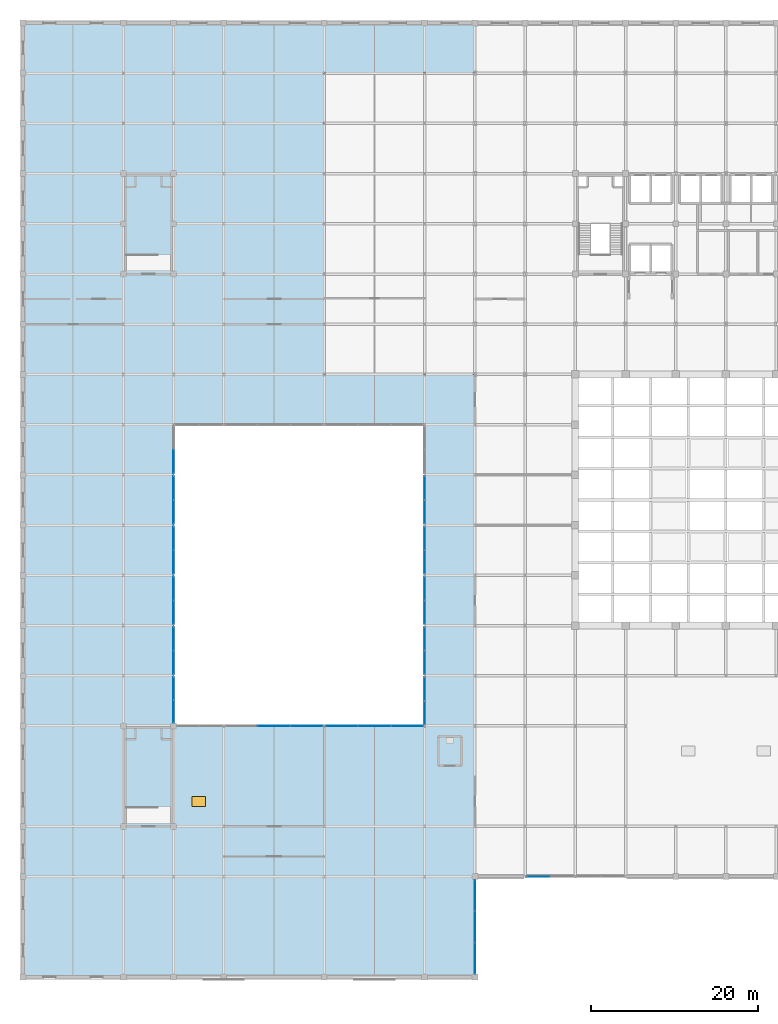
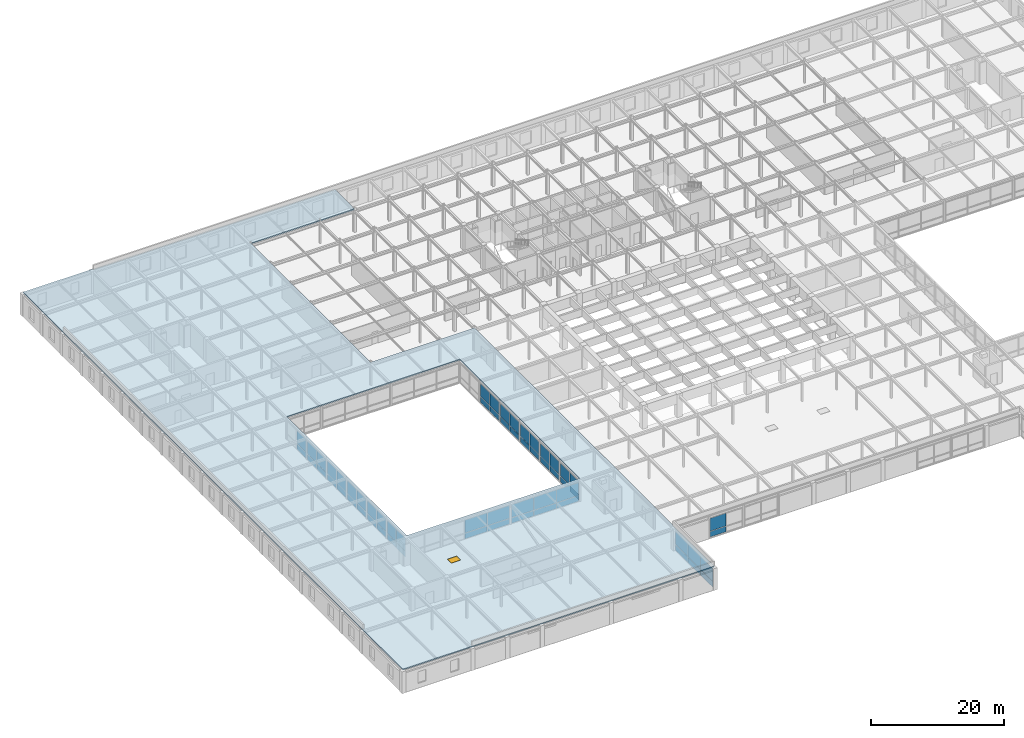
# One storey, part 96 of 111: 60 plates, 1 slab, 1 window, 1 opening, 15 elements without a shape of their own.
"""IFC4 building model written with IfcOpenShell, lengths in metres."""

from ifc_helpers import new_model, si_unit, direction, frame, origin, origin_2d, place, context, subcontext, project, spatial, polyline, rectangle, outline, extrude, material, layer, layer_set, type_object, element, fill, aggregate, save


model = new_model("IFC4")

# Units and contexts
model_context = context("Model", 3, precision=1e-05, world=origin(), true_north=direction((0.0, 1.0)))
body_context = subcontext(model_context, "Body", "Model", "MODEL_VIEW")
ifc_project = project(units=[si_unit("LENGTHUNIT", "METRE"), si_unit("AREAUNIT", "SQUARE_METRE"), si_unit("VOLUMEUNIT", "CUBIC_METRE"), si_unit("PLANEANGLEUNIT", "RADIAN"), si_unit("MASSUNIT", "GRAM", prefix="KILO")], contexts=[model_context])

# Site, building, storey
site_placement = place(None, origin())
site = spatial("IfcSite", under=ifc_project, at=site_placement, CompositionType="ELEMENT")
building_placement = place(site_placement, origin())
building = spatial("IfcBuilding", under=site, at=building_placement, Name="Zlatovratsky Civic Hall", CompositionType="ELEMENT")
storey_placement = place(building_placement, frame((0.0, 0.0, 16.5)))
storey = spatial("IfcBuildingStorey", under=building, at=storey_placement, Name="L04", CompositionType="ELEMENT", Elevation=16.5)

# Curtain wall, plates
ifc_material_1 = material(Name="Anodised bronze aluminium", Category="aluminium")
ifc_layer_1 = layer(ifc_material_1, 0.159912109375)
ifc_layer_set_1 = layer_set([ifc_layer_1], Name="Anodised bronze aluminium")
curtain_wall_type_1 = type_object("IfcCurtainWallType", Name="CurtainWall_Bronze_11750x3550_17", PredefinedType="NOTDEFINED", material=ifc_layer_set_1)
curtain_wall_1_placement = place(storey_placement, origin())
curtain_wall_1 = element("IfcCurtainWall", 1, at=curtain_wall_1_placement, inside=storey, type_object=curtain_wall_type_1, Name="CW-094", PredefinedType="NOTDEFINED")
ifc_material_2 = material(Name="Low-E laminated double glazing", Category="glass")
ifc_layer_2 = layer(ifc_material_2, 0.02392578125)
ifc_layer_set_2 = layer_set([ifc_layer_2], Name="Low-E laminated double glazing")
plate_type_1 = type_object("IfcPlateType", Name="Panel_CourtGlazing_24", PredefinedType="CURTAIN_PANEL", material=ifc_layer_set_2)
plate_1_placement = place(storey_placement, frame((30.0, 30.0, 0.06005859375), z_axis=(0.0, 0.0, 1.0), x_axis=(1.0, 0.0, 0.0)))
plate_1 = element("IfcPlate", 2, at=plate_1_placement, type_object=plate_type_1, Name="CW-17 panel 2.1", PredefinedType="CURTAIN_PANEL", context=body_context, shape_type="SweptSolid", body=[
    extrude(rectangle(XDim=3.856689453125, YDim=0.02392578125, at=origin_2d()), origin(), (0.0, 0.0, 1.0), 1.010009765625),
])
plate_2_placement = place(storey_placement, frame((30.0, 30.0, 1.1298828125), z_axis=(0.0, 0.0, 1.0), x_axis=(1.0, 0.0, 0.0)))
plate_2 = element("IfcPlate", 3, at=plate_2_placement, type_object=plate_type_1, Name="CW-17 panel 2.2", PredefinedType="CURTAIN_PANEL", context=body_context, shape_type="SweptSolid", body=[
    extrude(rectangle(XDim=3.856689453125, YDim=0.02392578125, at=origin_2d()), origin(), (0.0, 0.0, 1.0), 2.360107421875),
])
plate_3_placement = place(storey_placement, frame((33.901611328125, 30.0, 0.06005859375), z_axis=(0.0, 0.0, 1.0), x_axis=(1.0, 0.0, 0.0)))
plate_3 = element("IfcPlate", 4, at=plate_3_placement, type_object=plate_type_1, Name="CW-17 panel 3.1", PredefinedType="CURTAIN_PANEL", context=body_context, shape_type="SweptSolid", body=[
    extrude(rectangle(XDim=3.82666015625, YDim=0.02392578125, at=origin_2d()), origin(), (0.0, 0.0, 1.0), 1.010009765625),
])
plate_4_placement = place(storey_placement, frame((33.901611328125, 30.0, 1.1298828125), z_axis=(0.0, 0.0, 1.0), x_axis=(1.0, 0.0, 0.0)))
plate_4 = element("IfcPlate", 5, at=plate_4_placement, type_object=plate_type_1, Name="CW-17 panel 3.2", PredefinedType="CURTAIN_PANEL", context=body_context, shape_type="SweptSolid", body=[
    extrude(rectangle(XDim=3.82666015625, YDim=0.02392578125, at=origin_2d()), origin(), (0.0, 0.0, 1.0), 2.360107421875),
])
aggregate(curtain_wall_1, [plate_1, plate_2, plate_3, plate_4])

curtain_wall_2_placement = place(storey_placement, origin())
curtain_wall_2 = element("IfcCurtainWall", 6, at=curtain_wall_2_placement, inside=storey, type_object=curtain_wall_type_1, Name="CW-095", PredefinedType="NOTDEFINED")
plate_5_placement = place(storey_placement, frame((38.098388671875, 30.0, 0.06005859375), z_axis=(0.0, 0.0, 1.0), x_axis=(1.0, 0.0, 0.0)))
plate_5 = element("IfcPlate", 7, at=plate_5_placement, type_object=plate_type_1, Name="CW-17 panel 1.1", PredefinedType="CURTAIN_PANEL", context=body_context, shape_type="SweptSolid", body=[
    extrude(rectangle(XDim=3.82666015625, YDim=0.02392578125, at=origin_2d()), origin(), (0.0, 0.0, 1.0), 1.010009765625),
])
plate_6_placement = place(storey_placement, frame((38.098388671875, 30.0, 1.1298828125), z_axis=(0.0, 0.0, 1.0), x_axis=(1.0, 0.0, 0.0)))
plate_6 = element("IfcPlate", 8, at=plate_6_placement, type_object=plate_type_1, Name="CW-17 panel 1.2", PredefinedType="CURTAIN_PANEL", context=body_context, shape_type="SweptSolid", body=[
    extrude(rectangle(XDim=3.82666015625, YDim=0.02392578125, at=origin_2d()), origin(), (0.0, 0.0, 1.0), 2.360107421875),
])
plate_7_placement = place(storey_placement, frame((42.0, 30.0, 0.06005859375), z_axis=(0.0, 0.0, 1.0), x_axis=(1.0, 0.0, 0.0)))
plate_7 = element("IfcPlate", 9, at=plate_7_placement, type_object=plate_type_1, Name="CW-17 panel 2.1", PredefinedType="CURTAIN_PANEL", context=body_context, shape_type="SweptSolid", body=[
    extrude(rectangle(XDim=3.856689453125, YDim=0.02392578125, at=origin_2d()), origin(), (0.0, 0.0, 1.0), 1.010009765625),
])
plate_8_placement = place(storey_placement, frame((42.0, 30.0, 1.1298828125), z_axis=(0.0, 0.0, 1.0), x_axis=(1.0, 0.0, 0.0)))
plate_8 = element("IfcPlate", 10, at=plate_8_placement, type_object=plate_type_1, Name="CW-17 panel 2.2", PredefinedType="CURTAIN_PANEL", context=body_context, shape_type="SweptSolid", body=[
    extrude(rectangle(XDim=3.856689453125, YDim=0.02392578125, at=origin_2d()), origin(), (0.0, 0.0, 1.0), 2.360107421875),
])
plate_9_placement = place(storey_placement, frame((45.901611328125, 30.0, 0.06005859375), z_axis=(0.0, 0.0, 1.0), x_axis=(1.0, 0.0, 0.0)))
plate_9 = element("IfcPlate", 11, at=plate_9_placement, type_object=plate_type_1, Name="CW-17 panel 3.1", PredefinedType="CURTAIN_PANEL", context=body_context, shape_type="SweptSolid", body=[
    extrude(rectangle(XDim=3.82666015625, YDim=0.02392578125, at=origin_2d()), origin(), (0.0, 0.0, 1.0), 1.010009765625),
])
plate_10_placement = place(storey_placement, frame((45.901611328125, 30.0, 1.1298828125), z_axis=(0.0, 0.0, 1.0), x_axis=(1.0, 0.0, 0.0)))
plate_10 = element("IfcPlate", 12, at=plate_10_placement, type_object=plate_type_1, Name="CW-17 panel 3.2", PredefinedType="CURTAIN_PANEL", context=body_context, shape_type="SweptSolid", body=[
    extrude(rectangle(XDim=3.82666015625, YDim=0.02392578125, at=origin_2d()), origin(), (0.0, 0.0, 1.0), 2.360107421875),
])
aggregate(curtain_wall_2, [plate_5, plate_6, plate_7, plate_8, plate_9, plate_10])

ifc_layer_3 = layer(ifc_material_1, 0.159912109375)
ifc_layer_set_3 = layer_set([ifc_layer_3], Name="Anodised bronze aluminium")
curtain_wall_type_2 = type_object("IfcCurtainWallType", Name="CurtainWall_Bronze_5520x3550_16", PredefinedType="NOTDEFINED", material=ifc_layer_set_3)
curtain_wall_3_placement = place(storey_placement, origin())
curtain_wall_3 = element("IfcCurtainWall", 13, at=curtain_wall_3_placement, inside=storey, type_object=curtain_wall_type_2, Name="CW-099", PredefinedType="NOTDEFINED")
plate_11_placement = place(storey_placement, frame((18.0, 31.746337890625, 0.06005859375), z_axis=(0.0, 0.0, 1.0), x_axis=(0.0, 1.0, 0.0)))
plate_11 = element("IfcPlate", 14, at=plate_11_placement, type_object=plate_type_1, Name="CW-16 panel 1.1", PredefinedType="CURTAIN_PANEL", context=body_context, shape_type="SweptSolid", body=[
    extrude(rectangle(XDim=2.672607421875, YDim=0.02392578125, at=origin_2d()), origin(), (0.0, 0.0, 1.0), 1.010009765625),
])
plate_12_placement = place(storey_placement, frame((18.0, 31.746337890625, 1.1298828125), z_axis=(0.0, 0.0, 1.0), x_axis=(0.0, 1.0, 0.0)))
plate_12 = element("IfcPlate", 15, at=plate_12_placement, type_object=plate_type_1, Name="CW-16 panel 1.2", PredefinedType="CURTAIN_PANEL", context=body_context, shape_type="SweptSolid", body=[
    extrude(rectangle(XDim=2.672607421875, YDim=0.02392578125, at=origin_2d()), origin(), (0.0, 0.0, 1.0), 2.360107421875),
])
plate_13_placement = place(storey_placement, frame((18.0, 34.478759765625, 0.06005859375), z_axis=(0.0, 0.0, 1.0), x_axis=(0.0, 1.0, 0.0)))
plate_13 = element("IfcPlate", 16, at=plate_13_placement, type_object=plate_type_1, Name="CW-16 panel 2.1", PredefinedType="CURTAIN_PANEL", context=body_context, shape_type="SweptSolid", body=[
    extrude(rectangle(XDim=2.672607421875, YDim=0.02392578125, at=origin_2d()), origin(), (0.0, 0.0, 1.0), 1.010009765625),
])
plate_14_placement = place(storey_placement, frame((18.0, 34.478759765625, 1.1298828125), z_axis=(0.0, 0.0, 1.0), x_axis=(0.0, 1.0, 0.0)))
plate_14 = element("IfcPlate", 17, at=plate_14_placement, type_object=plate_type_1, Name="CW-16 panel 2.2", PredefinedType="CURTAIN_PANEL", context=body_context, shape_type="SweptSolid", body=[
    extrude(rectangle(XDim=2.672607421875, YDim=0.02392578125, at=origin_2d()), origin(), (0.0, 0.0, 1.0), 2.360107421875),
])
aggregate(curtain_wall_3, [plate_11, plate_12, plate_13, plate_14])

ifc_layer_4 = layer(ifc_material_1, 0.159912109375)
ifc_layer_set_4 = layer_set([ifc_layer_4], Name="Anodised bronze aluminium")
curtain_wall_type_3 = type_object("IfcCurtainWallType", Name="CurtainWall_Bronze_5750x3550_18", PredefinedType="NOTDEFINED", material=ifc_layer_set_4)
curtain_wall_4_placement = place(storey_placement, origin())
curtain_wall_4 = element("IfcCurtainWall", 18, at=curtain_wall_4_placement, inside=storey, type_object=curtain_wall_type_3, Name="CW-100", PredefinedType="NOTDEFINED")
plate_15_placement = place(storey_placement, frame((18.0, 37.577392578125, 0.06005859375), z_axis=(0.0, 0.0, 1.0), x_axis=(0.0, 1.0, 0.0)))
plate_15 = element("IfcPlate", 19, at=plate_15_placement, type_object=plate_type_1, Name="CW-18 panel 1.1", PredefinedType="CURTAIN_PANEL", context=body_context, shape_type="SweptSolid", body=[
    extrude(rectangle(XDim=2.784912109375, YDim=0.02392578125, at=origin_2d()), origin(), (0.0, 0.0, 1.0), 1.010009765625),
])
plate_16_placement = place(storey_placement, frame((18.0, 37.577392578125, 1.1298828125), z_axis=(0.0, 0.0, 1.0), x_axis=(0.0, 1.0, 0.0)))
plate_16 = element("IfcPlate", 20, at=plate_16_placement, type_object=plate_type_1, Name="CW-18 panel 1.2", PredefinedType="CURTAIN_PANEL", context=body_context, shape_type="SweptSolid", body=[
    extrude(rectangle(XDim=2.784912109375, YDim=0.02392578125, at=origin_2d()), origin(), (0.0, 0.0, 1.0), 2.360107421875),
])
plate_17_placement = place(storey_placement, frame((18.0, 40.422607421875, 0.06005859375), z_axis=(0.0, 0.0, 1.0), x_axis=(0.0, 1.0, 0.0)))
plate_17 = element("IfcPlate", 21, at=plate_17_placement, type_object=plate_type_1, Name="CW-18 panel 2.1", PredefinedType="CURTAIN_PANEL", context=body_context, shape_type="SweptSolid", body=[
    extrude(rectangle(XDim=2.784912109375, YDim=0.02392578125, at=origin_2d()), origin(), (0.0, 0.0, 1.0), 1.010009765625),
])
plate_18_placement = place(storey_placement, frame((18.0, 40.422607421875, 1.1298828125), z_axis=(0.0, 0.0, 1.0), x_axis=(0.0, 1.0, 0.0)))
plate_18 = element("IfcPlate", 22, at=plate_18_placement, type_object=plate_type_1, Name="CW-18 panel 2.2", PredefinedType="CURTAIN_PANEL", context=body_context, shape_type="SweptSolid", body=[
    extrude(rectangle(XDim=2.784912109375, YDim=0.02392578125, at=origin_2d()), origin(), (0.0, 0.0, 1.0), 2.360107421875),
])
aggregate(curtain_wall_4, [plate_15, plate_16, plate_17, plate_18])

curtain_wall_5_placement = place(storey_placement, origin())
curtain_wall_5 = element("IfcCurtainWall", 23, at=curtain_wall_5_placement, inside=storey, type_object=curtain_wall_type_3, Name="CW-101", PredefinedType="NOTDEFINED")
plate_19_placement = place(storey_placement, frame((18.0, 43.577392578125, 0.06005859375), z_axis=(0.0, 0.0, 1.0), x_axis=(0.0, 1.0, 0.0)))
plate_19 = element("IfcPlate", 24, at=plate_19_placement, type_object=plate_type_1, Name="CW-18 panel 1.1", PredefinedType="CURTAIN_PANEL", context=body_context, shape_type="SweptSolid", body=[
    extrude(rectangle(XDim=2.784912109375, YDim=0.02392578125, at=origin_2d()), origin(), (0.0, 0.0, 1.0), 1.010009765625),
])
plate_20_placement = place(storey_placement, frame((18.0, 43.577392578125, 1.1298828125), z_axis=(0.0, 0.0, 1.0), x_axis=(0.0, 1.0, 0.0)))
plate_20 = element("IfcPlate", 25, at=plate_20_placement, type_object=plate_type_1, Name="CW-18 panel 1.2", PredefinedType="CURTAIN_PANEL", context=body_context, shape_type="SweptSolid", body=[
    extrude(rectangle(XDim=2.784912109375, YDim=0.02392578125, at=origin_2d()), origin(), (0.0, 0.0, 1.0), 2.360107421875),
])
plate_21_placement = place(storey_placement, frame((18.0, 46.422607421875, 0.06005859375), z_axis=(0.0, 0.0, 1.0), x_axis=(0.0, 1.0, 0.0)))
plate_21 = element("IfcPlate", 26, at=plate_21_placement, type_object=plate_type_1, Name="CW-18 panel 2.1", PredefinedType="CURTAIN_PANEL", context=body_context, shape_type="SweptSolid", body=[
    extrude(rectangle(XDim=2.784912109375, YDim=0.02392578125, at=origin_2d()), origin(), (0.0, 0.0, 1.0), 1.010009765625),
])
plate_22_placement = place(storey_placement, frame((18.0, 46.422607421875, 1.1298828125), z_axis=(0.0, 0.0, 1.0), x_axis=(0.0, 1.0, 0.0)))
plate_22 = element("IfcPlate", 27, at=plate_22_placement, type_object=plate_type_1, Name="CW-18 panel 2.2", PredefinedType="CURTAIN_PANEL", context=body_context, shape_type="SweptSolid", body=[
    extrude(rectangle(XDim=2.784912109375, YDim=0.02392578125, at=origin_2d()), origin(), (0.0, 0.0, 1.0), 2.360107421875),
])
aggregate(curtain_wall_5, [plate_19, plate_20, plate_21, plate_22])

curtain_wall_6_placement = place(storey_placement, origin())
curtain_wall_6 = element("IfcCurtainWall", 28, at=curtain_wall_6_placement, inside=storey, type_object=curtain_wall_type_3, Name="CW-102", PredefinedType="NOTDEFINED")
plate_23_placement = place(storey_placement, frame((18.0, 49.577392578125, 0.06005859375), z_axis=(0.0, 0.0, 1.0), x_axis=(0.0, 1.0, 0.0)))
plate_23 = element("IfcPlate", 29, at=plate_23_placement, type_object=plate_type_1, Name="CW-18 panel 1.1", PredefinedType="CURTAIN_PANEL", context=body_context, shape_type="SweptSolid", body=[
    extrude(rectangle(XDim=2.784912109375, YDim=0.02392578125, at=origin_2d()), origin(), (0.0, 0.0, 1.0), 1.010009765625),
])
plate_24_placement = place(storey_placement, frame((18.0, 49.577392578125, 1.1298828125), z_axis=(0.0, 0.0, 1.0), x_axis=(0.0, 1.0, 0.0)))
plate_24 = element("IfcPlate", 30, at=plate_24_placement, type_object=plate_type_1, Name="CW-18 panel 1.2", PredefinedType="CURTAIN_PANEL", context=body_context, shape_type="SweptSolid", body=[
    extrude(rectangle(XDim=2.784912109375, YDim=0.02392578125, at=origin_2d()), origin(), (0.0, 0.0, 1.0), 2.360107421875),
])
plate_25_placement = place(storey_placement, frame((18.0, 52.422607421875, 0.06005859375), z_axis=(0.0, 0.0, 1.0), x_axis=(0.0, 1.0, 0.0)))
plate_25 = element("IfcPlate", 31, at=plate_25_placement, type_object=plate_type_1, Name="CW-18 panel 2.1", PredefinedType="CURTAIN_PANEL", context=body_context, shape_type="SweptSolid", body=[
    extrude(rectangle(XDim=2.784912109375, YDim=0.02392578125, at=origin_2d()), origin(), (0.0, 0.0, 1.0), 1.010009765625),
])
plate_26_placement = place(storey_placement, frame((18.0, 52.422607421875, 1.1298828125), z_axis=(0.0, 0.0, 1.0), x_axis=(0.0, 1.0, 0.0)))
plate_26 = element("IfcPlate", 32, at=plate_26_placement, type_object=plate_type_1, Name="CW-18 panel 2.2", PredefinedType="CURTAIN_PANEL", context=body_context, shape_type="SweptSolid", body=[
    extrude(rectangle(XDim=2.784912109375, YDim=0.02392578125, at=origin_2d()), origin(), (0.0, 0.0, 1.0), 2.360107421875),
])
aggregate(curtain_wall_6, [plate_23, plate_24, plate_25, plate_26])

curtain_wall_7_placement = place(storey_placement, origin())
curtain_wall_7 = element("IfcCurtainWall", 33, at=curtain_wall_7_placement, inside=storey, type_object=curtain_wall_type_3, Name="CW-103", PredefinedType="NOTDEFINED")
plate_27_placement = place(storey_placement, frame((18.0, 55.577392578125, 0.06005859375), z_axis=(0.0, 0.0, 1.0), x_axis=(0.0, 1.0, 0.0)))
plate_27 = element("IfcPlate", 34, at=plate_27_placement, type_object=plate_type_1, Name="CW-18 panel 1.1", PredefinedType="CURTAIN_PANEL", context=body_context, shape_type="SweptSolid", body=[
    extrude(rectangle(XDim=2.784912109375, YDim=0.02392578125, at=origin_2d()), origin(), (0.0, 0.0, 1.0), 1.010009765625),
])
plate_28_placement = place(storey_placement, frame((18.0, 55.577392578125, 1.1298828125), z_axis=(0.0, 0.0, 1.0), x_axis=(0.0, 1.0, 0.0)))
plate_28 = element("IfcPlate", 35, at=plate_28_placement, type_object=plate_type_1, Name="CW-18 panel 1.2", PredefinedType="CURTAIN_PANEL", context=body_context, shape_type="SweptSolid", body=[
    extrude(rectangle(XDim=2.784912109375, YDim=0.02392578125, at=origin_2d()), origin(), (0.0, 0.0, 1.0), 2.360107421875),
])
plate_29_placement = place(storey_placement, frame((18.0, 58.422607421875, 0.06005859375), z_axis=(0.0, 0.0, 1.0), x_axis=(0.0, 1.0, 0.0)))
plate_29 = element("IfcPlate", 36, at=plate_29_placement, type_object=plate_type_1, Name="CW-18 panel 2.1", PredefinedType="CURTAIN_PANEL", context=body_context, shape_type="SweptSolid", body=[
    extrude(rectangle(XDim=2.784912109375, YDim=0.02392578125, at=origin_2d()), origin(), (0.0, 0.0, 1.0), 1.010009765625),
])
plate_30_placement = place(storey_placement, frame((18.0, 58.422607421875, 1.1298828125), z_axis=(0.0, 0.0, 1.0), x_axis=(0.0, 1.0, 0.0)))
plate_30 = element("IfcPlate", 37, at=plate_30_placement, type_object=plate_type_1, Name="CW-18 panel 2.2", PredefinedType="CURTAIN_PANEL", context=body_context, shape_type="SweptSolid", body=[
    extrude(rectangle(XDim=2.784912109375, YDim=0.02392578125, at=origin_2d()), origin(), (0.0, 0.0, 1.0), 2.360107421875),
])
aggregate(curtain_wall_7, [plate_27, plate_28, plate_29, plate_30])

curtain_wall_8_placement = place(storey_placement, origin())
curtain_wall_8 = element("IfcCurtainWall", 38, at=curtain_wall_8_placement, inside=storey, type_object=curtain_wall_type_3, Name="CW-104", PredefinedType="NOTDEFINED")
plate_31_placement = place(storey_placement, frame((18.0, 61.577392578125, 0.06005859375), z_axis=(0.0, 0.0, 1.0), x_axis=(0.0, 1.0, 0.0)))
plate_31 = element("IfcPlate", 39, at=plate_31_placement, type_object=plate_type_1, Name="CW-18 panel 1.1", PredefinedType="CURTAIN_PANEL", context=body_context, shape_type="SweptSolid", body=[
    extrude(rectangle(XDim=2.784912109375, YDim=0.02392578125, at=origin_2d()), origin(), (0.0, 0.0, 1.0), 1.010009765625),
])
plate_32_placement = place(storey_placement, frame((18.0, 61.577392578125, 1.1298828125), z_axis=(0.0, 0.0, 1.0), x_axis=(0.0, 1.0, 0.0)))
plate_32 = element("IfcPlate", 40, at=plate_32_placement, type_object=plate_type_1, Name="CW-18 panel 1.2", PredefinedType="CURTAIN_PANEL", context=body_context, shape_type="SweptSolid", body=[
    extrude(rectangle(XDim=2.784912109375, YDim=0.02392578125, at=origin_2d()), origin(), (0.0, 0.0, 1.0), 2.360107421875),
])
aggregate(curtain_wall_8, [plate_31, plate_32])

curtain_wall_9_placement = place(storey_placement, origin())
curtain_wall_9 = element("IfcCurtainWall", 41, at=curtain_wall_9_placement, inside=storey, type_object=curtain_wall_type_3, Name="CW-105", PredefinedType="NOTDEFINED")
plate_33_placement = place(storey_placement, frame((48.0, 31.577392578125, 0.06005859375), z_axis=(0.0, 0.0, 1.0), x_axis=(0.0, 1.0, 0.0)))
plate_33 = element("IfcPlate", 42, at=plate_33_placement, type_object=plate_type_1, Name="CW-18 panel 1.1", PredefinedType="CURTAIN_PANEL", context=body_context, shape_type="SweptSolid", body=[
    extrude(rectangle(XDim=2.784912109375, YDim=0.02392578125, at=origin_2d()), origin(), (0.0, 0.0, 1.0), 1.010009765625),
])
plate_34_placement = place(storey_placement, frame((48.0, 31.577392578125, 1.1298828125), z_axis=(0.0, 0.0, 1.0), x_axis=(0.0, 1.0, 0.0)))
plate_34 = element("IfcPlate", 43, at=plate_34_placement, type_object=plate_type_1, Name="CW-18 panel 1.2", PredefinedType="CURTAIN_PANEL", context=body_context, shape_type="SweptSolid", body=[
    extrude(rectangle(XDim=2.784912109375, YDim=0.02392578125, at=origin_2d()), origin(), (0.0, 0.0, 1.0), 2.360107421875),
])
plate_35_placement = place(storey_placement, frame((48.0, 34.422607421875, 0.06005859375), z_axis=(0.0, 0.0, 1.0), x_axis=(0.0, 1.0, 0.0)))
plate_35 = element("IfcPlate", 44, at=plate_35_placement, type_object=plate_type_1, Name="CW-18 panel 2.1", PredefinedType="CURTAIN_PANEL", context=body_context, shape_type="SweptSolid", body=[
    extrude(rectangle(XDim=2.784912109375, YDim=0.02392578125, at=origin_2d()), origin(), (0.0, 0.0, 1.0), 1.010009765625),
])
plate_36_placement = place(storey_placement, frame((48.0, 34.422607421875, 1.1298828125), z_axis=(0.0, 0.0, 1.0), x_axis=(0.0, 1.0, 0.0)))
plate_36 = element("IfcPlate", 45, at=plate_36_placement, type_object=plate_type_1, Name="CW-18 panel 2.2", PredefinedType="CURTAIN_PANEL", context=body_context, shape_type="SweptSolid", body=[
    extrude(rectangle(XDim=2.784912109375, YDim=0.02392578125, at=origin_2d()), origin(), (0.0, 0.0, 1.0), 2.360107421875),
])
aggregate(curtain_wall_9, [plate_33, plate_34, plate_35, plate_36])

curtain_wall_10_placement = place(storey_placement, origin())
curtain_wall_10 = element("IfcCurtainWall", 46, at=curtain_wall_10_placement, inside=storey, type_object=curtain_wall_type_3, Name="CW-106", PredefinedType="NOTDEFINED")
plate_37_placement = place(storey_placement, frame((48.0, 37.577392578125, 0.06005859375), z_axis=(0.0, 0.0, 1.0), x_axis=(0.0, 1.0, 0.0)))
plate_37 = element("IfcPlate", 47, at=plate_37_placement, type_object=plate_type_1, Name="CW-18 panel 1.1", PredefinedType="CURTAIN_PANEL", context=body_context, shape_type="SweptSolid", body=[
    extrude(rectangle(XDim=2.784912109375, YDim=0.02392578125, at=origin_2d()), origin(), (0.0, 0.0, 1.0), 1.010009765625),
])
plate_38_placement = place(storey_placement, frame((48.0, 37.577392578125, 1.1298828125), z_axis=(0.0, 0.0, 1.0), x_axis=(0.0, 1.0, 0.0)))
plate_38 = element("IfcPlate", 48, at=plate_38_placement, type_object=plate_type_1, Name="CW-18 panel 1.2", PredefinedType="CURTAIN_PANEL", context=body_context, shape_type="SweptSolid", body=[
    extrude(rectangle(XDim=2.784912109375, YDim=0.02392578125, at=origin_2d()), origin(), (0.0, 0.0, 1.0), 2.360107421875),
])
plate_39_placement = place(storey_placement, frame((48.0, 40.422607421875, 0.06005859375), z_axis=(0.0, 0.0, 1.0), x_axis=(0.0, 1.0, 0.0)))
plate_39 = element("IfcPlate", 49, at=plate_39_placement, type_object=plate_type_1, Name="CW-18 panel 2.1", PredefinedType="CURTAIN_PANEL", context=body_context, shape_type="SweptSolid", body=[
    extrude(rectangle(XDim=2.784912109375, YDim=0.02392578125, at=origin_2d()), origin(), (0.0, 0.0, 1.0), 1.010009765625),
])
plate_40_placement = place(storey_placement, frame((48.0, 40.422607421875, 1.1298828125), z_axis=(0.0, 0.0, 1.0), x_axis=(0.0, 1.0, 0.0)))
plate_40 = element("IfcPlate", 50, at=plate_40_placement, type_object=plate_type_1, Name="CW-18 panel 2.2", PredefinedType="CURTAIN_PANEL", context=body_context, shape_type="SweptSolid", body=[
    extrude(rectangle(XDim=2.784912109375, YDim=0.02392578125, at=origin_2d()), origin(), (0.0, 0.0, 1.0), 2.360107421875),
])
aggregate(curtain_wall_10, [plate_37, plate_38, plate_39, plate_40])

curtain_wall_11_placement = place(storey_placement, origin())
curtain_wall_11 = element("IfcCurtainWall", 51, at=curtain_wall_11_placement, inside=storey, type_object=curtain_wall_type_3, Name="CW-107", PredefinedType="NOTDEFINED")
plate_41_placement = place(storey_placement, frame((48.0, 43.577392578125, 0.06005859375), z_axis=(0.0, 0.0, 1.0), x_axis=(0.0, 1.0, 0.0)))
plate_41 = element("IfcPlate", 52, at=plate_41_placement, type_object=plate_type_1, Name="CW-18 panel 1.1", PredefinedType="CURTAIN_PANEL", context=body_context, shape_type="SweptSolid", body=[
    extrude(rectangle(XDim=2.784912109375, YDim=0.02392578125, at=origin_2d()), origin(), (0.0, 0.0, 1.0), 1.010009765625),
])
plate_42_placement = place(storey_placement, frame((48.0, 43.577392578125, 1.1298828125), z_axis=(0.0, 0.0, 1.0), x_axis=(0.0, 1.0, 0.0)))
plate_42 = element("IfcPlate", 53, at=plate_42_placement, type_object=plate_type_1, Name="CW-18 panel 1.2", PredefinedType="CURTAIN_PANEL", context=body_context, shape_type="SweptSolid", body=[
    extrude(rectangle(XDim=2.784912109375, YDim=0.02392578125, at=origin_2d()), origin(), (0.0, 0.0, 1.0), 2.360107421875),
])
plate_43_placement = place(storey_placement, frame((48.0, 46.422607421875, 0.06005859375), z_axis=(0.0, 0.0, 1.0), x_axis=(0.0, 1.0, 0.0)))
plate_43 = element("IfcPlate", 54, at=plate_43_placement, type_object=plate_type_1, Name="CW-18 panel 2.1", PredefinedType="CURTAIN_PANEL", context=body_context, shape_type="SweptSolid", body=[
    extrude(rectangle(XDim=2.784912109375, YDim=0.02392578125, at=origin_2d()), origin(), (0.0, 0.0, 1.0), 1.010009765625),
])
plate_44_placement = place(storey_placement, frame((48.0, 46.422607421875, 1.1298828125), z_axis=(0.0, 0.0, 1.0), x_axis=(0.0, 1.0, 0.0)))
plate_44 = element("IfcPlate", 55, at=plate_44_placement, type_object=plate_type_1, Name="CW-18 panel 2.2", PredefinedType="CURTAIN_PANEL", context=body_context, shape_type="SweptSolid", body=[
    extrude(rectangle(XDim=2.784912109375, YDim=0.02392578125, at=origin_2d()), origin(), (0.0, 0.0, 1.0), 2.360107421875),
])
aggregate(curtain_wall_11, [plate_41, plate_42, plate_43, plate_44])

curtain_wall_12_placement = place(storey_placement, origin())
curtain_wall_12 = element("IfcCurtainWall", 56, at=curtain_wall_12_placement, inside=storey, type_object=curtain_wall_type_3, Name="CW-108", PredefinedType="NOTDEFINED")
plate_45_placement = place(storey_placement, frame((48.0, 49.577392578125, 0.06005859375), z_axis=(0.0, 0.0, 1.0), x_axis=(0.0, 1.0, 0.0)))
plate_45 = element("IfcPlate", 57, at=plate_45_placement, type_object=plate_type_1, Name="CW-18 panel 1.1", PredefinedType="CURTAIN_PANEL", context=body_context, shape_type="SweptSolid", body=[
    extrude(rectangle(XDim=2.784912109375, YDim=0.02392578125, at=origin_2d()), origin(), (0.0, 0.0, 1.0), 1.010009765625),
])
plate_46_placement = place(storey_placement, frame((48.0, 49.577392578125, 1.1298828125), z_axis=(0.0, 0.0, 1.0), x_axis=(0.0, 1.0, 0.0)))
plate_46 = element("IfcPlate", 58, at=plate_46_placement, type_object=plate_type_1, Name="CW-18 panel 1.2", PredefinedType="CURTAIN_PANEL", context=body_context, shape_type="SweptSolid", body=[
    extrude(rectangle(XDim=2.784912109375, YDim=0.02392578125, at=origin_2d()), origin(), (0.0, 0.0, 1.0), 2.360107421875),
])
plate_47_placement = place(storey_placement, frame((48.0, 52.422607421875, 0.06005859375), z_axis=(0.0, 0.0, 1.0), x_axis=(0.0, 1.0, 0.0)))
plate_47 = element("IfcPlate", 59, at=plate_47_placement, type_object=plate_type_1, Name="CW-18 panel 2.1", PredefinedType="CURTAIN_PANEL", context=body_context, shape_type="SweptSolid", body=[
    extrude(rectangle(XDim=2.784912109375, YDim=0.02392578125, at=origin_2d()), origin(), (0.0, 0.0, 1.0), 1.010009765625),
])
plate_48_placement = place(storey_placement, frame((48.0, 52.422607421875, 1.1298828125), z_axis=(0.0, 0.0, 1.0), x_axis=(0.0, 1.0, 0.0)))
plate_48 = element("IfcPlate", 60, at=plate_48_placement, type_object=plate_type_1, Name="CW-18 panel 2.2", PredefinedType="CURTAIN_PANEL", context=body_context, shape_type="SweptSolid", body=[
    extrude(rectangle(XDim=2.784912109375, YDim=0.02392578125, at=origin_2d()), origin(), (0.0, 0.0, 1.0), 2.360107421875),
])
aggregate(curtain_wall_12, [plate_45, plate_46, plate_47, plate_48])

curtain_wall_13_placement = place(storey_placement, origin())
curtain_wall_13 = element("IfcCurtainWall", 61, at=curtain_wall_13_placement, inside=storey, type_object=curtain_wall_type_3, Name="CW-109", PredefinedType="NOTDEFINED")
plate_49_placement = place(storey_placement, frame((48.0, 55.577392578125, 0.06005859375), z_axis=(0.0, 0.0, 1.0), x_axis=(0.0, 1.0, 0.0)))
plate_49 = element("IfcPlate", 62, at=plate_49_placement, type_object=plate_type_1, Name="CW-18 panel 1.1", PredefinedType="CURTAIN_PANEL", context=body_context, shape_type="SweptSolid", body=[
    extrude(rectangle(XDim=2.784912109375, YDim=0.02392578125, at=origin_2d()), origin(), (0.0, 0.0, 1.0), 1.010009765625),
])
plate_50_placement = place(storey_placement, frame((48.0, 55.577392578125, 1.1298828125), z_axis=(0.0, 0.0, 1.0), x_axis=(0.0, 1.0, 0.0)))
plate_50 = element("IfcPlate", 63, at=plate_50_placement, type_object=plate_type_1, Name="CW-18 panel 1.2", PredefinedType="CURTAIN_PANEL", context=body_context, shape_type="SweptSolid", body=[
    extrude(rectangle(XDim=2.784912109375, YDim=0.02392578125, at=origin_2d()), origin(), (0.0, 0.0, 1.0), 2.360107421875),
])
plate_51_placement = place(storey_placement, frame((48.0, 58.422607421875, 0.06005859375), z_axis=(0.0, 0.0, 1.0), x_axis=(0.0, 1.0, 0.0)))
plate_51 = element("IfcPlate", 64, at=plate_51_placement, type_object=plate_type_1, Name="CW-18 panel 2.1", PredefinedType="CURTAIN_PANEL", context=body_context, shape_type="SweptSolid", body=[
    extrude(rectangle(XDim=2.784912109375, YDim=0.02392578125, at=origin_2d()), origin(), (0.0, 0.0, 1.0), 1.010009765625),
])
plate_52_placement = place(storey_placement, frame((48.0, 58.422607421875, 1.1298828125), z_axis=(0.0, 0.0, 1.0), x_axis=(0.0, 1.0, 0.0)))
plate_52 = element("IfcPlate", 65, at=plate_52_placement, type_object=plate_type_1, Name="CW-18 panel 2.2", PredefinedType="CURTAIN_PANEL", context=body_context, shape_type="SweptSolid", body=[
    extrude(rectangle(XDim=2.784912109375, YDim=0.02392578125, at=origin_2d()), origin(), (0.0, 0.0, 1.0), 2.360107421875),
])
aggregate(curtain_wall_13, [plate_49, plate_50, plate_51, plate_52])

ifc_layer_5 = layer(ifc_material_1, 0.159912109375)
ifc_layer_set_5 = layer_set([ifc_layer_5], Name="Anodised bronze aluminium")
curtain_wall_type_4 = type_object("IfcCurtainWallType", Name="CurtainWall_Bronze_11300x3550_13", PredefinedType="NOTDEFINED", material=ifc_layer_set_5)
curtain_wall_14_placement = place(storey_placement, origin())
curtain_wall_14 = element("IfcCurtainWall", 66, at=curtain_wall_14_placement, inside=storey, type_object=curtain_wall_type_4, Name="CW-087", PredefinedType="NOTDEFINED")
ifc_material_3 = material(Name="Solar-control triple glazing", Category="glass")
ifc_layer_6 = layer(ifc_material_3, 0.028076171875)
ifc_layer_set_6 = layer_set([ifc_layer_6], Name="Solar-control triple glazing")
plate_type_2 = type_object("IfcPlateType", Name="Panel_TowerTripleGlazing_28", PredefinedType="CURTAIN_PANEL", material=ifc_layer_set_6)
plate_53_placement = place(storey_placement, frame((54.0, 2.248291015625, 0.06005859375), z_axis=(0.0, 0.0, 1.0), x_axis=(0.0, 1.0, 0.0)))
plate_53 = element("IfcPlate", 67, at=plate_53_placement, type_object=plate_type_2, Name="CW-13 panel 1.1", PredefinedType="CURTAIN_PANEL", context=body_context, shape_type="SweptSolid", body=[
    extrude(rectangle(XDim=3.6767578125, YDim=0.028076171875, at=origin_2d()), origin(), (0.0, 0.0, 1.0), 1.010009765625),
])
plate_54_placement = place(storey_placement, frame((54.0, 2.248291015625, 1.1298828125), z_axis=(0.0, 0.0, 1.0), x_axis=(0.0, 1.0, 0.0)))
plate_54 = element("IfcPlate", 68, at=plate_54_placement, type_object=plate_type_2, Name="CW-13 panel 1.2", PredefinedType="CURTAIN_PANEL", context=body_context, shape_type="SweptSolid", body=[
    extrude(rectangle(XDim=3.6767578125, YDim=0.028076171875, at=origin_2d()), origin(), (0.0, 0.0, 1.0), 2.360107421875),
])
plate_55_placement = place(storey_placement, frame((54.0, 6.0, 0.06005859375), z_axis=(0.0, 0.0, 1.0), x_axis=(0.0, 1.0, 0.0)))
plate_55 = element("IfcPlate", 69, at=plate_55_placement, type_object=plate_type_2, Name="CW-13 panel 2.1", PredefinedType="CURTAIN_PANEL", context=body_context, shape_type="SweptSolid", body=[
    extrude(rectangle(XDim=3.706787109375, YDim=0.028076171875, at=origin_2d()), origin(), (0.0, 0.0, 1.0), 1.010009765625),
])
plate_56_placement = place(storey_placement, frame((54.0, 6.0, 1.1298828125), z_axis=(0.0, 0.0, 1.0), x_axis=(0.0, 1.0, 0.0)))
plate_56 = element("IfcPlate", 70, at=plate_56_placement, type_object=plate_type_2, Name="CW-13 panel 2.2", PredefinedType="CURTAIN_PANEL", context=body_context, shape_type="SweptSolid", body=[
    extrude(rectangle(XDim=3.706787109375, YDim=0.028076171875, at=origin_2d()), origin(), (0.0, 0.0, 1.0), 2.360107421875),
])
plate_57_placement = place(storey_placement, frame((54.0, 9.751708984375, 0.06005859375), z_axis=(0.0, 0.0, 1.0), x_axis=(0.0, 1.0, 0.0)))
plate_57 = element("IfcPlate", 71, at=plate_57_placement, type_object=plate_type_2, Name="CW-13 panel 3.1", PredefinedType="CURTAIN_PANEL", context=body_context, shape_type="SweptSolid", body=[
    extrude(rectangle(XDim=3.6767578125, YDim=0.028076171875, at=origin_2d()), origin(), (0.0, 0.0, 1.0), 1.010009765625),
])
plate_58_placement = place(storey_placement, frame((54.0, 9.751708984375, 1.1298828125), z_axis=(0.0, 0.0, 1.0), x_axis=(0.0, 1.0, 0.0)))
plate_58 = element("IfcPlate", 72, at=plate_58_placement, type_object=plate_type_2, Name="CW-13 panel 3.2", PredefinedType="CURTAIN_PANEL", context=body_context, shape_type="SweptSolid", body=[
    extrude(rectangle(XDim=3.6767578125, YDim=0.028076171875, at=origin_2d()), origin(), (0.0, 0.0, 1.0), 2.360107421875),
])
aggregate(curtain_wall_14, [plate_53, plate_54, plate_55, plate_56, plate_57, plate_58])

ifc_layer_7 = layer(ifc_material_1, 0.159912109375)
ifc_layer_set_7 = layer_set([ifc_layer_7], Name="Anodised bronze aluminium")
curtain_wall_type_5 = type_object("IfcCurtainWallType", Name="CurtainWall_Bronze_5750x3550_14", PredefinedType="NOTDEFINED", material=ifc_layer_set_7)
curtain_wall_15_placement = place(storey_placement, origin())
curtain_wall_15 = element("IfcCurtainWall", 73, at=curtain_wall_15_placement, inside=storey, type_object=curtain_wall_type_5, Name="CW-089", PredefinedType="NOTDEFINED")
plate_59_placement = place(storey_placement, frame((61.577392578125, 12.0, 0.06005859375), z_axis=(0.0, 0.0, 1.0), x_axis=(1.0, 0.0, 0.0)))
plate_59 = element("IfcPlate", 74, at=plate_59_placement, type_object=plate_type_2, Name="CW-14 panel 1.1", PredefinedType="CURTAIN_PANEL", context=body_context, shape_type="SweptSolid", body=[
    extrude(rectangle(XDim=2.784912109375, YDim=0.028076171875, at=origin_2d()), origin(), (0.0, 0.0, 1.0), 1.010009765625),
])
plate_60_placement = place(storey_placement, frame((61.577392578125, 12.0, 1.1298828125), z_axis=(0.0, 0.0, 1.0), x_axis=(1.0, 0.0, 0.0)))
plate_60 = element("IfcPlate", 75, at=plate_60_placement, type_object=plate_type_2, Name="CW-14 panel 1.2", PredefinedType="CURTAIN_PANEL", context=body_context, shape_type="SweptSolid", body=[
    extrude(rectangle(XDim=2.784912109375, YDim=0.028076171875, at=origin_2d()), origin(), (0.0, 0.0, 1.0), 2.360107421875),
])
aggregate(curtain_wall_15, [plate_59, plate_60])

# Slab, opening, window
ifc_material_4 = material(Name="Concrete C35/45 (B40)", Category="concrete")
ifc_layer_8 = layer(ifc_material_4, 0.199951171875)
ifc_layer_set_8 = layer_set([ifc_layer_8], Name="Concrete C35/45 (B40)")
slab_type = type_object("IfcSlabType", Name="Slab_ChamberCofferedRoof_200", PredefinedType="ROOF", material=ifc_layer_set_8)
slab_placement = place(storey_placement, frame((0.0, 0.0, 4.0)))
slab = element("IfcSlab", 76, at=slab_placement, inside=storey, type_object=slab_type, Name="SL-098", PredefinedType="ROOF", context=body_context, shape_type="SweptSolid", body=[
    extrude(outline(polyline([(0.0, 0.0), (54.0, 0.0), (54.0, 72.0), (36.0, 72.0), (36.0, 108.0), (54.0, 108.0), (54.0, 114.0), (0.0, 114.0), (0.0, 0.0)]), holes=[polyline([(18.0, 30.0), (48.0, 30.0), (48.0, 66.0), (18.0, 66.0), (18.0, 30.0)])]), origin(), (0.0, 0.0, 1.0), 0.199951171875),
])
opening_placement = place(slab_placement, frame((21.0, 21.0, 0.0)))
opening = element("IfcOpeningElement", 77, at=opening_placement, cuts=slab, Name="Opening SK-07", PredefinedType="OPENING", context=body_context, shape_type="SweptSolid", body=[
    extrude(rectangle(XDim=1.60009765625, YDim=1.199951171875, at=origin_2d()), frame((0.0, 0.0, -0.014892578125)), (0.0, 0.0, 1.0), 0.229736328125),
])
ifc_material_5 = material(Name="Laminated safety rooflight glazing", Category="glass")
window_type = type_object("IfcWindowType", Name="Skylight_PodiumRoofHatch_1600x1200", PartitioningType="SINGLE_PANEL", PredefinedType="SKYLIGHT", material=ifc_material_5)
window_placement = place(opening_placement, frame((0.0, 0.0, 0.14990234375)))
window = element("IfcWindow", 78, at=window_placement, inside=storey, type_object=window_type, Name="WN-0557", OverallHeight=1.199951171875, OverallWidth=1.60009765625, PartitioningType="SINGLE_PANEL", PredefinedType="SKYLIGHT", context=body_context, shape_type="SweptSolid", body=[
    extrude(rectangle(XDim=1.60009765625, YDim=1.199951171875, at=origin_2d()), origin(), (0.0, 0.0, 1.0), 0.050048828125),
])
fill(opening, window)

save(model, "model.ifc")
